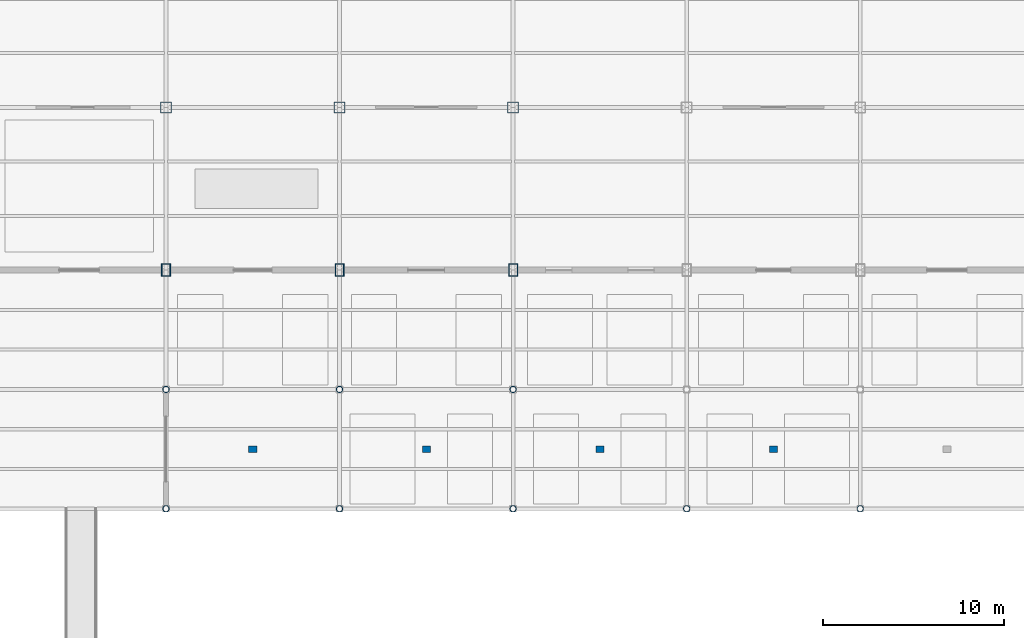
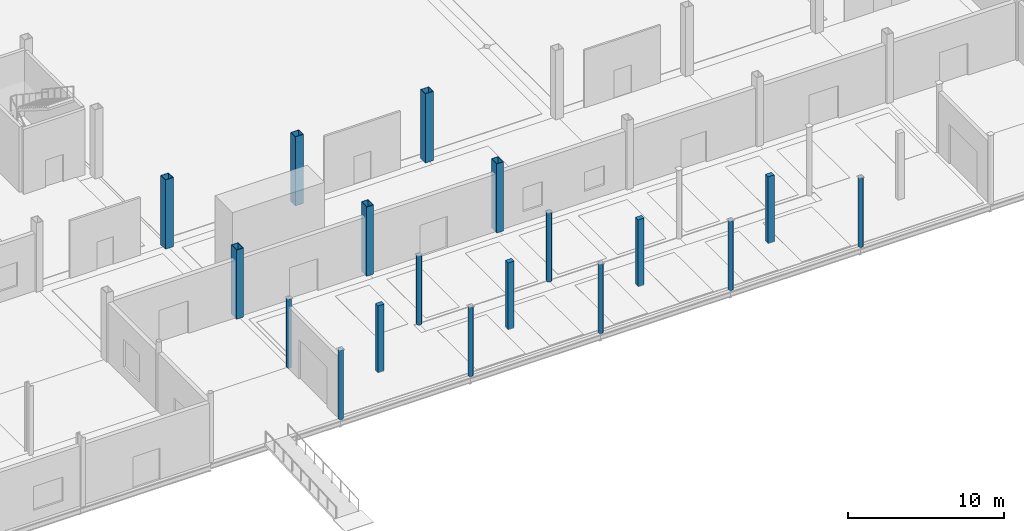
# One storey, part 5 of 85: 18 columns.
"""IFC4 building model written with IfcOpenShell, lengths in metres."""

from ifc_helpers import new_model, si_unit, direction, frame, origin, origin_2d, place, context, subcontext, project, spatial, rectangle, hollow_rectangle, hollow_circle, extrude, material, material_profile, profile_set, type_object, element, save


model = new_model("IFC4")

# Units and contexts
model_context = context("Model", 3, precision=1e-05, world=origin(), true_north=direction((0.0, 1.0)))
body_context = subcontext(model_context, "Body", "Model", "MODEL_VIEW")
ifc_project = project(units=[si_unit("LENGTHUNIT", "METRE"), si_unit("AREAUNIT", "SQUARE_METRE"), si_unit("VOLUMEUNIT", "CUBIC_METRE"), si_unit("PLANEANGLEUNIT", "RADIAN"), si_unit("MASSUNIT", "GRAM", prefix="KILO")], contexts=[model_context])

# Site, building, storey
site_placement = place(None, origin())
site = spatial("IfcSite", under=ifc_project, at=site_placement, CompositionType="ELEMENT")
building_placement = place(site_placement, origin())
building = spatial("IfcBuilding", under=site, at=building_placement, Name="Zarnetskaya Central Station", CompositionType="ELEMENT")
storey_placement = place(building_placement, origin())
storey = spatial("IfcBuildingStorey", under=building, at=storey_placement, Name="L00", CompositionType="ELEMENT", Elevation=0.0)

# Columns
ifc_material_1 = material(Name="Steel S355", Category="steel")
ifc_material_profile_1 = material_profile(ifc_material_1, hollow_rectangle(XDim=0.5, YDim=0.699951171875, WallThickness=0.031982421875, at=origin_2d()), Name="BOX 700x500x32")
ifc_profile_set_1 = profile_set([ifc_material_profile_1], Name="Steel S355")
column_type_1 = type_object("IfcColumnType", Name="COL-V2-HALL", PredefinedType="COLUMN", material=ifc_profile_set_1)
for number, where, z_axis, x_axis, name in (
    (1, (67.199951171875, 13.199951171875, 0.0), (0.0, 0.0, 1.0), (1.0, 0.0, 0.0), "Column H3 L00"),
    (2, (76.800048828125, 13.199951171875, 0.0), (0.0, 0.0, 1.0), (1.0, 0.0, 0.0), "Column J3 L00"),
    (3, (86.39990234375, 13.199951171875, 0.0), (0.0, 0.0, 1.0), (1.0, 0.0, 0.0), "Column K3 L00"),
):
    element("IfcColumn", number, at=place(storey_placement, frame(where, z_axis=z_axis, x_axis=x_axis)), inside=storey, type_object=column_type_1, Name=name, PredefinedType="COLUMN", context=body_context, shape_type="SweptSolid", body=[
        extrude(hollow_rectangle(XDim=0.5, YDim=0.699951171875, WallThickness=0.031982421875, at=origin_2d()), origin(), (0.0, 0.0, 1.0), 5.39990234375),
    ])
ifc_material_profile_2 = material_profile(ifc_material_1, hollow_rectangle(XDim=0.60009765625, YDim=0.60009765625, WallThickness=0.030029296875, at=origin_2d()), Name="BOX 600x600x30")
ifc_profile_set_2 = profile_set([ifc_material_profile_2], Name="Steel S355")
column_type_2 = type_object("IfcColumnType", Name="COL-V2-INT", PredefinedType="COLUMN", material=ifc_profile_set_2)
for number, where, z_axis, x_axis, name in (
    (4, (67.199951171875, 22.199951171875, 0.0), (0.0, 0.0, 1.0), (1.0, 0.0, 0.0), "Column H4 L00"),
    (5, (76.800048828125, 22.199951171875, 0.0), (0.0, 0.0, 1.0), (1.0, 0.0, 0.0), "Column J4 L00"),
    (6, (86.39990234375, 22.199951171875, 0.0), (0.0, 0.0, 1.0), (1.0, 0.0, 0.0), "Column K4 L00"),
):
    element("IfcColumn", number, at=place(storey_placement, frame(where, z_axis=z_axis, x_axis=x_axis)), inside=storey, type_object=column_type_2, Name=name, PredefinedType="COLUMN", context=body_context, shape_type="SweptSolid", body=[
        extrude(hollow_rectangle(XDim=0.60009765625, YDim=0.60009765625, WallThickness=0.030029296875, at=origin_2d()), origin(), (0.0, 0.0, 1.0), 5.39990234375),
    ])
ifc_material_profile_3 = material_profile(ifc_material_1, hollow_circle(Radius=0.177734375, WallThickness=0.01611328125, at=origin_2d()), Name="CHS 355.6x16")
ifc_profile_set_3 = profile_set([ifc_material_profile_3], Name="Steel S355")
column_type_3 = type_object("IfcColumnType", Name="COL-V3-FCAN", PredefinedType="COLUMN", material=ifc_profile_set_3)
for number, where, z_axis, x_axis, name in (
    (7, (67.199951171875, 0.0, 0.0), (0.0, 0.0, 1.0), (1.0, 0.0, 0.0), "Column H1 L00"),
    (8, (67.199951171875, 6.60009765625, 0.0), (0.0, 0.0, 1.0), (1.0, 0.0, 0.0), "Column H2 L00"),
    (9, (76.800048828125, 0.0, 0.0), (0.0, 0.0, 1.0), (1.0, 0.0, 0.0), "Column J1 L00"),
    (10, (76.800048828125, 6.60009765625, 0.0), (0.0, 0.0, 1.0), (1.0, 0.0, 0.0), "Column J2 L00"),
    (11, (86.39990234375, 0.0, 0.0), (0.0, 0.0, 1.0), (1.0, 0.0, 0.0), "Column K1 L00"),
    (12, (86.39990234375, 6.60009765625, 0.0), (0.0, 0.0, 1.0), (1.0, 0.0, 0.0), "Column K2 L00"),
    (13, (96.0, 0.0, 0.0), (0.0, 0.0, 1.0), (1.0, 0.0, 0.0), "Column L1 L00"),
    (14, (105.60009765625, 0.0, 0.0), (0.0, 0.0, 1.0), (1.0, 0.0, 0.0), "Column M1 L00"),
):
    element("IfcColumn", number, at=place(storey_placement, frame(where, z_axis=z_axis, x_axis=x_axis)), inside=storey, type_object=column_type_3, Name=name, PredefinedType="COLUMN", context=body_context, shape_type="SweptSolid", body=[
        extrude(hollow_circle(Radius=0.177734375, WallThickness=0.01611328125, at=origin_2d()), origin(), (0.0, 0.0, 1.0), 5.387939453125),
    ])
ifc_material_2 = material(Name="Precast concrete C40/50", Category="concrete")
ifc_material_profile_4 = material_profile(ifc_material_2, rectangle(XDim=0.449951171875, YDim=0.35009765625, at=origin_2d()), Name="RC PILASTER 450x350")
ifc_profile_set_4 = profile_set([ifc_material_profile_4], Name="Precast concrete C40/50")
column_type_4 = type_object("IfcColumnType", Name="PIL-EAVE-RC", PredefinedType="PILASTER", material=ifc_profile_set_4)
for number, where, z_axis, x_axis, name in (
    (15, (72.0, 3.300048828125, 0.0), (0.0, 0.0, 1.0), (1.0, 0.0, 0.0), "Forecourt colonnade pilaster 1"),
    (16, (81.60009765625, 3.300048828125, 0.0), (0.0, 0.0, 1.0), (1.0, 0.0, 0.0), "Forecourt colonnade pilaster 2"),
    (17, (91.199951171875, 3.300048828125, 0.0), (0.0, 0.0, 1.0), (1.0, 0.0, 0.0), "Forecourt colonnade pilaster 3"),
    (18, (100.800048828125, 3.300048828125, 0.0), (0.0, 0.0, 1.0), (1.0, 0.0, 0.0), "Forecourt colonnade pilaster 4"),
):
    element("IfcColumn", number, at=place(storey_placement, frame(where, z_axis=z_axis, x_axis=x_axis)), inside=storey, type_object=column_type_4, Name=name, PredefinedType="PILASTER", context=body_context, shape_type="SweptSolid", body=[
        extrude(rectangle(XDim=0.449951171875, YDim=0.35009765625, at=origin_2d()), origin(), (0.0, 0.0, 1.0), 5.239990234375),
    ])

save(model, "model.ifc")
